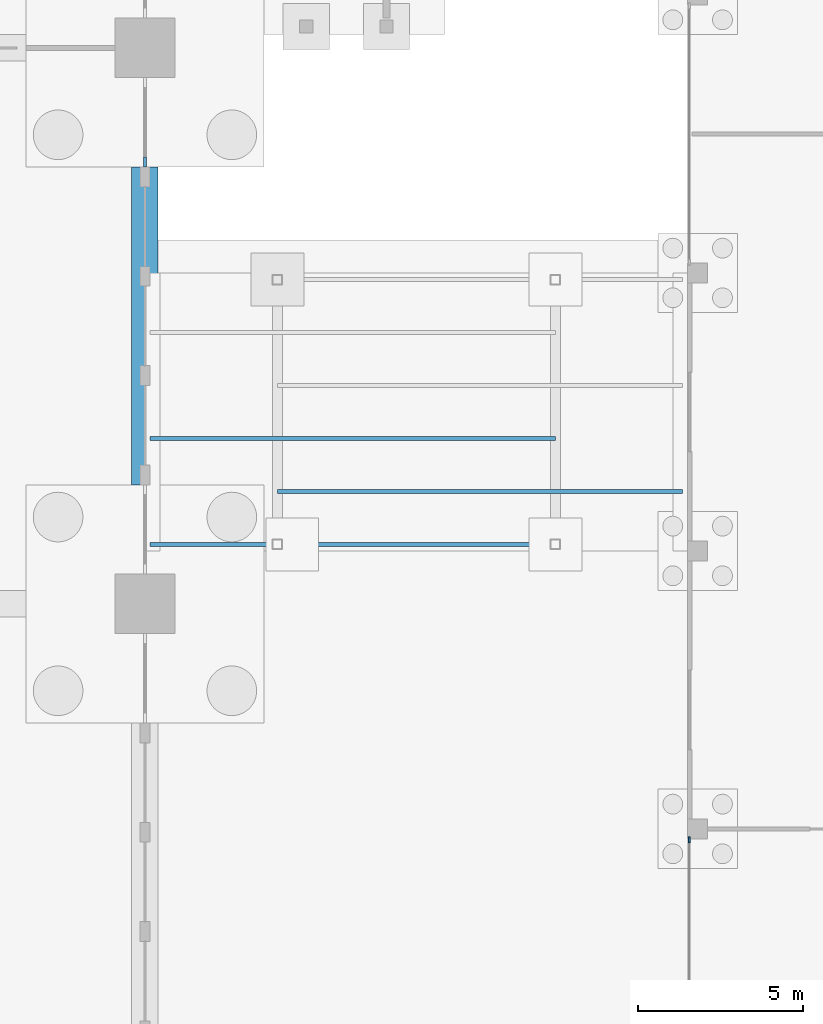
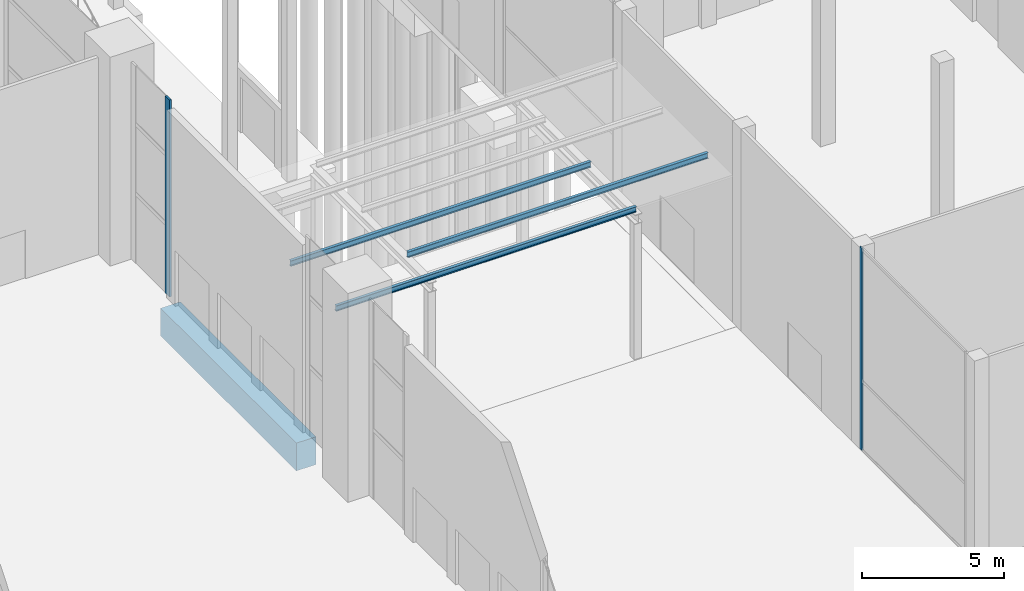
# One storey, part 21 of 72: 4 beams, 2 members, 2 elements without a shape of their own.
"""IFC4 building model written with IfcOpenShell, lengths in metres."""

from ifc_helpers import new_model, si_unit, direction, frame, origin, origin_2d, place, context, subcontext, project, spatial, rectangle, i_section, extrude, material, material_profile, profile_set, type_object, element, aggregate, save


model = new_model("IFC4")

# Units and contexts
model_context = context("Model", 3, precision=1e-05, world=origin(), true_north=direction((0.0, 1.0)))
body_context = subcontext(model_context, "Body", "Model", "MODEL_VIEW")
ifc_project = project(units=[si_unit("LENGTHUNIT", "METRE"), si_unit("AREAUNIT", "SQUARE_METRE"), si_unit("VOLUMEUNIT", "CUBIC_METRE"), si_unit("PLANEANGLEUNIT", "RADIAN"), si_unit("MASSUNIT", "GRAM", prefix="KILO")], contexts=[model_context])

# Site, building, storey
site_placement = place(None, origin())
site = spatial("IfcSite", under=ifc_project, at=site_placement, CompositionType="ELEMENT")
building_placement = place(site_placement, origin())
building = spatial("IfcBuilding", under=site, at=building_placement, Name="Candeia Pilgrim Tower and Theatre", CompositionType="ELEMENT")
storey_placement = place(building_placement, origin())
storey = spatial("IfcBuildingStorey", under=building, at=storey_placement, Name="L00", CompositionType="ELEMENT", Elevation=0.0)

# Beams
ifc_material_1 = material(Name="Steel S355", Category="steel")
ifc_material_profile_1 = material_profile(ifc_material_1, i_section(OverallWidth=0.1201171875, OverallDepth=0.239990234375, WebThickness=0.006103515625, FlangeThickness=0.009765625, at=origin_2d()))
ifc_profile_set_1 = profile_set([ifc_material_profile_1], Name="Steel S355")
beam_type_1 = type_object("IfcBeamType", Name="Arcade purlin IPE 240", PredefinedType="BEAM", material=ifc_profile_set_1)
for number, where, z_axis, x_axis, name in (
    (1, (159.75, 83.0, 6.3798828125), (1.0, 0.0, 0.0), (0.0, 1.0, 0.0), "Arcade purlin 1"),
    (2, (163.60009765625, 84.60009765625, 6.3798828125), (1.0, 0.0, 0.0), (0.0, 1.0, 0.0), "Arcade purlin 2"),
    (3, (159.75, 86.199951171875, 6.3798828125), (1.0, 0.0, 0.0), (0.0, 1.0, 0.0), "Arcade purlin 3"),
):
    element("IfcBeam", number, at=place(storey_placement, frame(where, z_axis=z_axis, x_axis=x_axis)), inside=storey, type_object=beam_type_1, Name=name, PredefinedType="BEAM", context=body_context, shape_type="SweptSolid", body=[
        extrude(i_section(OverallWidth=0.1201171875, OverallDepth=0.239990234375, WebThickness=0.006103515625, FlangeThickness=0.009765625, at=origin_2d()), origin(), (0.0, 0.0, 1.0), 12.25),
    ])

# Curtain wall, member
ifc_material_2 = material(Name="Aluminium framed podium glazing", Category="aluminium")
curtain_wall_type_1 = type_object("IfcCurtainWallType", Name="CW-P curtain wall", PredefinedType="NOTDEFINED", material=ifc_material_2)
curtain_wall_1_placement = place(storey_placement, origin())
curtain_wall_1 = element("IfcCurtainWall", 4, at=curtain_wall_1_placement, inside=storey, type_object=curtain_wall_type_1, Name="Curtain wall CW-P L00.250", PredefinedType="NOTDEFINED")
ifc_material_3 = material(Name="Anodised aluminium", Category="aluminium")
ifc_material_profile_2 = material_profile(ifc_material_3, rectangle(XDim=0.080078125, YDim=0.300048828125, at=origin_2d()))
ifc_profile_set_2 = profile_set([ifc_material_profile_2], Name="Anodised aluminium")
member_type_1 = type_object("IfcMemberType", Name="CW-P mullion 80x300", PredefinedType="MULLION", material=ifc_profile_set_2)
member_1_placement = place(storey_placement, frame((159.60009765625, 94.550048828125, 0.0), z_axis=(0.0, 0.0, 1.0), x_axis=(1.0, 0.0, 0.0)))
member_1 = element("IfcMember", 5, at=member_1_placement, type_object=member_type_1, Name="CW-P mullion 2", PredefinedType="MULLION", context=body_context, shape_type="SweptSolid", body=[
    extrude(rectangle(XDim=0.080078125, YDim=0.300048828125, at=origin_2d()), origin(), (0.0, 0.0, 1.0), 8.5),
])
aggregate(curtain_wall_1, [member_1])

ifc_material_4 = material(Name="Aluminium curtain wall system", Category="aluminium")
curtain_wall_type_2 = type_object("IfcCurtainWallType", Name="Curtain wall CW-T", PredefinedType="NOTDEFINED", material=ifc_material_4)
curtain_wall_2_placement = place(storey_placement, origin())
curtain_wall_2 = element("IfcCurtainWall", 6, at=curtain_wall_2_placement, inside=storey, type_object=curtain_wall_type_2, Name="Foyer curtain wall L00 1", PredefinedType="NOTDEFINED")
ifc_material_5 = material(Name="Aluminium 6063-T6", Category="aluminium")
ifc_material_profile_3 = material_profile(ifc_material_5, rectangle(XDim=0.06005859375, YDim=0.179931640625, at=origin_2d()))
ifc_profile_set_3 = profile_set([ifc_material_profile_3], Name="Aluminium 6063-T6")
member_type_2 = type_object("IfcMemberType", Name="Mullion CW-T 60x180", PredefinedType="MULLION", material=ifc_profile_set_3)
member_2_placement = place(storey_placement, frame((176.050048828125, 74.070068359375, 0.0), z_axis=(0.0, 0.0, 1.0), x_axis=(-1.0, 0.0, 0.0)))
member_2 = element("IfcMember", 7, at=member_2_placement, type_object=member_type_2, Name="CW-T mullion 2", PredefinedType="MULLION", context=body_context, shape_type="SweptSolid", body=[
    extrude(rectangle(XDim=0.06005859375, YDim=0.179931640625, at=origin_2d()), origin(), (0.0, 0.0, 1.0), 8.699951171875),
])
aggregate(curtain_wall_2, [member_2])

# Beam
ifc_material_6 = material(Name="Concrete C40/50", Category="concrete")
ifc_material_profile_4 = material_profile(ifc_material_6, rectangle(XDim=0.800048828125, YDim=1.199951171875, at=origin_2d()))
ifc_profile_set_4 = profile_set([ifc_material_profile_4], Name="Concrete C40/50")
beam_type_2 = type_object("IfcBeamType", Name="RC 800x1200 C40/50", PredefinedType="BEAM", material=ifc_profile_set_4)
beam_placement = place(storey_placement, frame((159.60009765625, 94.39990234375, -0.949951171875), z_axis=(0.0, -1.0, 0.0), x_axis=(1.0, 0.0, 0.0)))
element("IfcBeam", 8, at=beam_placement, inside=storey, type_object=beam_type_2, Name="Ground beam 016", PredefinedType="BEAM", context=body_context, shape_type="SweptSolid", body=[
    extrude(rectangle(XDim=0.800048828125, YDim=1.199951171875, at=origin_2d()), origin(), (0.0, 0.0, 1.0), 9.599853515625),
])

save(model, "model.ifc")
